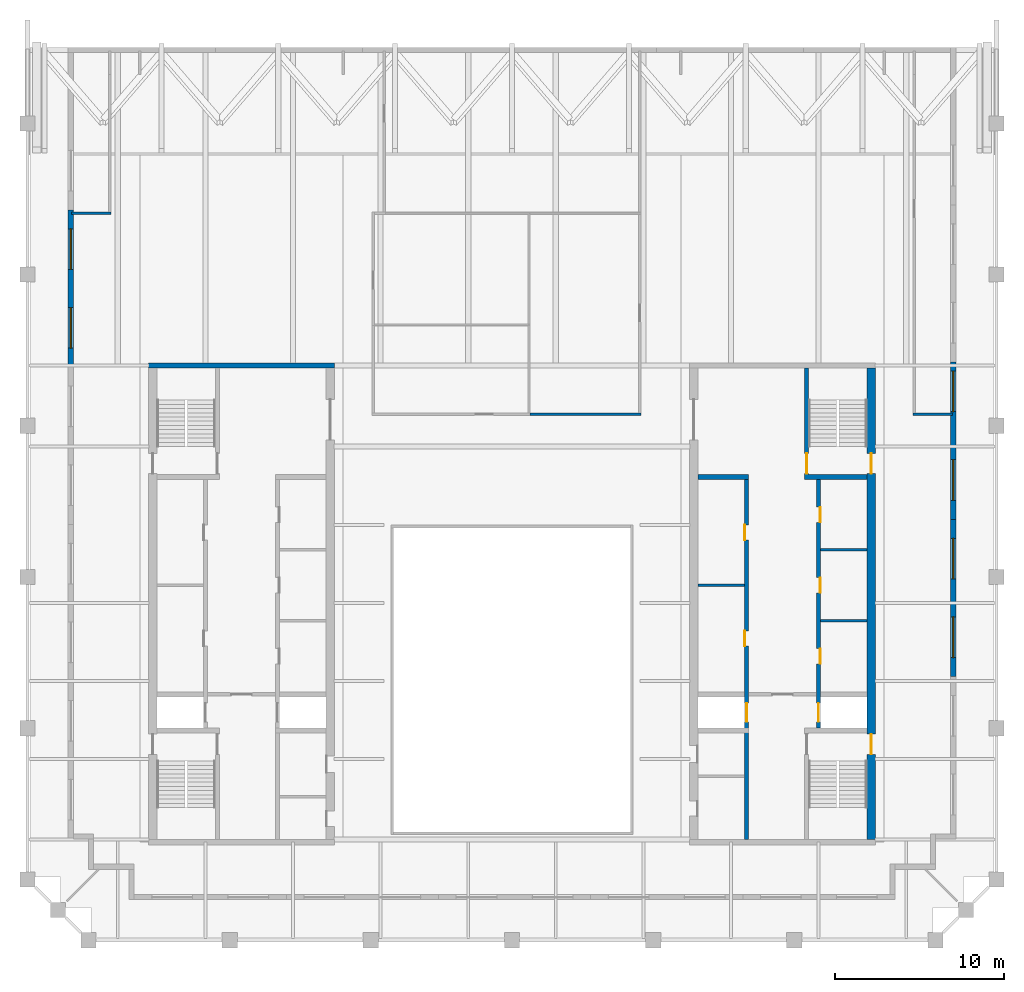
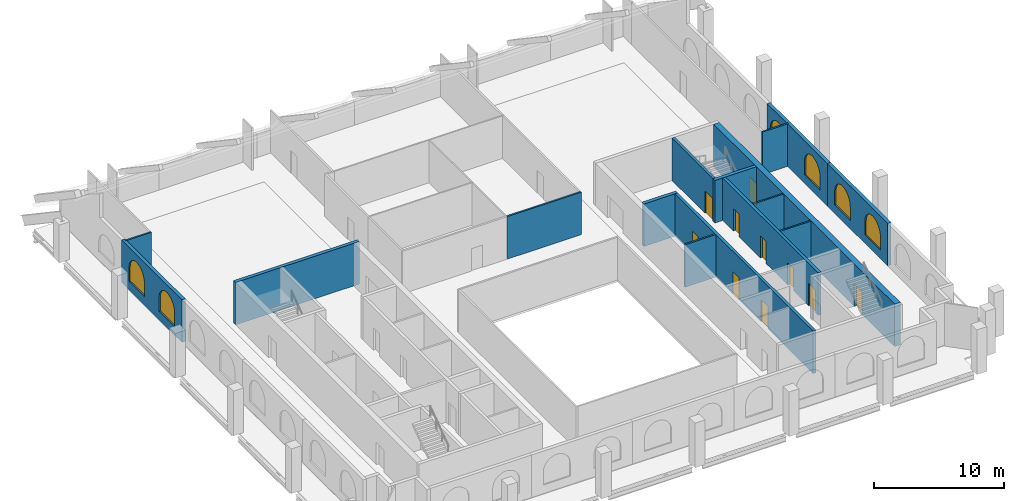
# One storey, part 5 of 8: 16 walls, 10 doors, 6 windows, 16 openings.
"""IFC4 building model written with IfcOpenShell, lengths in metres."""

import ifcopenshell
import ifcopenshell.guid

model = None  # the IFC model being written
_history = None  # IfcOwnerHistory: only IFC2X3 demands one
_inside = {}  # id of a spatial element -> (the spatial element, [elements in it])
_under = {}  # id of a project, library or spatial element -> (it, [spatial elements below it])
_declared = {}  # id of a project -> (the project, [libraries it declares])
_typed = {}  # id of a type object -> (the type object, [elements of that type])
_made_of = {}  # id of a material, layer set ... -> (it, [elements and type objects made of it])


def new_model(schema):
    """Start an empty IFC model of exactly this schema.

    Asked for "IFC4X3", IfcOpenShell would pick the latest addendum, in which some entities
    have other attributes; the version numbers below select the first issue.
    IFC2X3 requires an IfcOwnerHistory on every rooted entity: one is made here for all.
    """
    global model, _history
    if schema == "IFC4X3":
        model = ifcopenshell.file(schema_version=(4, 3, 0, 0))
    else:
        model = ifcopenshell.file(schema=schema)
    _inside.clear()
    _under.clear()
    _declared.clear()
    _typed.clear()
    _made_of.clear()
    _history = None
    if model.schema == "IFC2X3":
        org = make("IfcOrganization", Name="unknown")
        user = make(
            "IfcPersonAndOrganization",
            ThePerson=make("IfcPerson", FamilyName="unknown"),
            TheOrganization=org,
        )
        app = make(
            "IfcApplication",
            ApplicationDeveloper=org,
            Version="unknown",
            ApplicationFullName="unknown",
            ApplicationIdentifier="unknown",
        )
        _history = make(
            "IfcOwnerHistory",
            OwningUser=user,
            OwningApplication=app,
            ChangeAction="ADDED",
            CreationDate=0,
        )
    return model


def make(cls, **values):
    """One entity of the class cls with the attributes given. An attribute that is None is left unset."""
    return model.create_entity(
        cls, **{name: value for name, value in values.items() if value is not None}
    )


def rooted(cls, **values):
    """An entity with a GlobalId (a new one), such as an element, a storey or a relation."""
    return make(cls, GlobalId=ifcopenshell.guid.new(), OwnerHistory=_history, **values)


def si_unit(unit_type, name, prefix=None):
    """IfcSIUnit, for example si_unit("LENGTHUNIT", "METRE", prefix="MILLI")."""
    return make("IfcSIUnit", UnitType=unit_type, Prefix=prefix, Name=name)


def assignment(units):
    """IfcUnitAssignment: the units of a project."""
    return None if units is None else make("IfcUnitAssignment", Units=units)


def point(xyz):
    """IfcCartesianPoint."""
    return None if xyz is None else make("IfcCartesianPoint", Coordinates=xyz)


def direction(xyz):
    """IfcDirection."""
    return None if xyz is None else make("IfcDirection", DirectionRatios=xyz)


def frame(location, z_axis=None, x_axis=None):
    """IfcAxis2Placement3D, a coordinate frame: its origin and axes. An axis left out is left unset."""
    return make(
        "IfcAxis2Placement3D",
        Location=point(location),
        Axis=direction(z_axis),
        RefDirection=direction(x_axis),
    )


def frame_2d(location, x_axis=None):
    """IfcAxis2Placement2D, a coordinate frame in the plane: its origin and x axis."""
    return make(
        "IfcAxis2Placement2D", Location=point(location), RefDirection=direction(x_axis)
    )


def origin():
    """The frame at (0, 0, 0) with its axes left unset."""
    return frame((0.0, 0.0, 0.0))


def place(relative_to, where):
    """IfcLocalPlacement: puts the frame where relative to a parent placement (None: the world)."""
    return make(
        "IfcLocalPlacement", PlacementRelTo=relative_to, RelativePlacement=where
    )


def context(
    kind, dimensions, precision=None, world=None, true_north=None, identifier=None
):
    """IfcGeometricRepresentationContext, for example the 3D "Model" context."""
    return make(
        "IfcGeometricRepresentationContext",
        ContextIdentifier=identifier,
        ContextType=kind,
        CoordinateSpaceDimension=dimensions,
        Precision=precision,
        WorldCoordinateSystem=world,
        TrueNorth=true_north,
    )


def subcontext(parent, identifier, kind, view, scale=None):
    """IfcGeometricRepresentationSubContext, for example "Body" below "Model"."""
    return make(
        "IfcGeometricRepresentationSubContext",
        ContextIdentifier=identifier,
        ContextType=kind,
        ParentContext=parent,
        TargetScale=scale,
        TargetView=view,
    )


def project(units=None, contexts=None):
    """IfcProject with its units and contexts."""
    return rooted(
        "IfcProject",
        Name="project",
        RepresentationContexts=contexts,
        UnitsInContext=assignment(units),
    )


def spatial(cls, under=None, at=None, **own):
    """A site, building, storey or space (cls), placed at a placement, below another one or the project."""
    s = rooted(cls, ObjectPlacement=at, **own)
    if under is not None:
        _under.setdefault(under.id(), (under, []))[1].append(s)
    return s


def polyline(points):
    """IfcPolyline through the points."""
    return make("IfcPolyline", Points=[point(p) for p in points])


def profile(cls, at=None, kind="AREA", **sizes):
    """A parametric profile (cls). Its sizes go by their IFC names, for example OverallWidth=200.0."""
    return make(cls, ProfileType=kind, Position=at, **sizes)


def rectangle(**sizes):
    """IfcRectangleProfileDef."""
    return profile("IfcRectangleProfileDef", **sizes)


def outline(outer, holes=None, kind="AREA"):
    """IfcArbitraryClosedProfileDef: a profile drawn as a closed curve; with holes, ...WithVoids."""
    if holes is None:
        return make("IfcArbitraryClosedProfileDef", ProfileType=kind, OuterCurve=outer)
    return make(
        "IfcArbitraryProfileDefWithVoids",
        ProfileType=kind,
        OuterCurve=outer,
        InnerCurves=holes,
    )


def extrude(swept, where, along, depth):
    """IfcExtrudedAreaSolid: the profile swept, set in the frame where, extruded along a direction by depth."""
    return make(
        "IfcExtrudedAreaSolid",
        SweptArea=swept,
        Position=where,
        ExtrudedDirection=direction(along),
        Depth=depth,
    )


def shape(context_of_items, identifier, shape_type, items):
    """IfcShapeRepresentation: the items that make up one representation, for example the "Body"."""
    return make(
        "IfcShapeRepresentation",
        ContextOfItems=context_of_items,
        RepresentationIdentifier=identifier,
        RepresentationType=shape_type,
        Items=items,
    )


def material(Name=None, Category=None):
    """IfcMaterial."""
    return make("IfcMaterial", Name=Name, Category=Category)


def layer(
    of_material, thickness, ventilated=None, Name=None, Category=None, Priority=None
):
    """IfcMaterialLayer: one layer of a wall or slab, of a material (None: an air gap)."""
    return make(
        "IfcMaterialLayer",
        Material=of_material,
        LayerThickness=thickness,
        IsVentilated=ventilated,
        Name=Name,
        Category=Category,
        Priority=Priority,
    )


def layer_set(layers, Name=None):
    """IfcMaterialLayerSet."""
    return make("IfcMaterialLayerSet", MaterialLayers=layers, LayerSetName=Name)


def made_of(thing, what):
    """Note that an element or type object is made of a material, layer set ...; save() writes the relation."""
    if what is not None:
        _made_of.setdefault(what.id(), (what, []))[1].append(thing)
    return thing


def type_object(cls, material=None, **own):
    """A type object (cls), such as IfcWallType, which elements share."""
    return made_of(rooted(cls, **own), material)


def element(
    cls,
    number,
    at=None,
    inside=None,
    cuts=None,
    type_object=None,
    material=None,
    context=None,
    identifier="Body",
    shape_type=None,
    held_by="IfcProductDefinitionShape",
    body=None,
    shapes=None,
    **own,
):
    """One element of the class cls, such as IfcWall. Its Tag is "e" and its number.

    at: its placement. inside: the storey or other place that contains it. cuts: it is an
    opening in that element (IfcRelVoidsElement). A single representation is given by context,
    identifier, shape_type and body (its items); several are given by shapes. held_by: the class
    of the entity that holds the representations. save() writes the other relations.
    """
    e = rooted(cls, Tag="e%d" % number, ObjectPlacement=at, **own)
    if body is not None:
        shapes = [shape(context, identifier, shape_type, body)]
    if shapes is not None:
        e.Representation = make(held_by, Representations=shapes)
    if inside is not None:
        _inside.setdefault(inside.id(), (inside, []))[1].append(e)
    if cuts is not None:
        rooted(
            "IfcRelVoidsElement", RelatingBuildingElement=cuts, RelatedOpeningElement=e
        )
    if type_object is not None:
        _typed.setdefault(type_object.id(), (type_object, []))[1].append(e)
    return made_of(e, material)


def fill(opening, filler):
    """IfcRelFillsElement: the door or window that sits in an opening."""
    return rooted(
        "IfcRelFillsElement",
        RelatingOpeningElement=opening,
        RelatedBuildingElement=filler,
    )


def aggregate(whole, parts):
    """IfcRelAggregates: a whole, such as a stair, and the parts it consists of."""
    return rooted("IfcRelAggregates", RelatingObject=whole, RelatedObjects=parts)


def save(model, path):
    """Write the relations noted so far, then the file.

    IfcRelAggregates (storeys below a building ...), IfcRelContainedInSpatialStructure (elements
    in a storey), IfcRelDefinesByType, IfcRelAssociatesMaterial and IfcRelDeclares: one each for
    every whole, place, type object, material and project.
    """
    for whole, parts in _under.values():
        aggregate(whole, parts)
    for where, things in _inside.values():
        rooted(
            "IfcRelContainedInSpatialStructure",
            RelatedElements=things,
            RelatingStructure=where,
        )
    for kind, things in _typed.values():
        rooted("IfcRelDefinesByType", RelatedObjects=things, RelatingType=kind)
    for what, things in _made_of.values():
        rooted("IfcRelAssociatesMaterial", RelatedObjects=things, RelatingMaterial=what)
    for by, libraries in _declared.values():
        rooted("IfcRelDeclares", RelatingContext=by, RelatedDefinitions=libraries)
    model.write(path)


model = new_model("IFC4")

# Units and contexts
model_context = context("Model", 3, precision=1e-05, world=origin(), true_north=direction((0.0, 1.0)))
body_context = subcontext(model_context, "Body", "Model", "MODEL_VIEW")
ifc_project = project(units=[si_unit("LENGTHUNIT", "METRE"), si_unit("AREAUNIT", "SQUARE_METRE"), si_unit("VOLUMEUNIT", "CUBIC_METRE"), si_unit("PLANEANGLEUNIT", "RADIAN"), si_unit("MASSUNIT", "GRAM", prefix="KILO")], contexts=[model_context])

# Site, building, storey
site_placement = place(None, origin())
site = spatial("IfcSite", under=ifc_project, at=site_placement, CompositionType="ELEMENT")
building_placement = place(site_placement, origin())
building = spatial("IfcBuilding", under=site, at=building_placement, Name="Ogive Exchange Tower", CompositionType="ELEMENT")
storey_placement = place(building_placement, frame((0.0, 0.0, 377.39990234375)))
storey = spatial("IfcBuildingStorey", under=building, at=storey_placement, Name="C03", CompositionType="ELEMENT", Elevation=377.39990234375)

# Walls
ifc_material_1 = material(Name="Gypsum board partition")
ifc_layer_1 = layer(ifc_material_1, 0.14990234375)
ifc_layer_set_1 = layer_set([ifc_layer_1], Name="Core room partition 150 gypsum")
wall_type_1 = type_object("IfcWallType", Name="Core room partition 150 gypsum", PredefinedType="PARTITIONING", material=ifc_layer_set_1)
for number, where, z_axis, x_axis, name in (
    (1, (18.25, 10.5, 0.0), (0.0, 0.0, 1.0), (1.0, 0.0, 0.0), "E row A bay partition 1-1"),
    (2, (18.25, 14.699951171875, 0.0), (0.0, 0.0, 1.0), (1.0, 0.0, 0.0), "E row A bay partition 1-2"),
    (3, (11.0, 12.60009765625, 0.0), (0.0, 0.0, 1.0), (1.0, 0.0, 0.0), "E row B bay partition 1-1"),
):
    element("IfcWall", number, at=place(storey_placement, frame(where, z_axis=z_axis, x_axis=x_axis)), inside=storey, type_object=wall_type_1, Name=name, PredefinedType="PARTITIONING", context=body_context, shape_type="SweptSolid", body=[
        extrude(rectangle(XDim=2.75, YDim=0.14990234375, at=frame_2d((1.375, 0.0))), origin(), (0.0, 0.0, 1.0), 4.0),
    ])
ifc_layer_2 = layer(ifc_material_1, 0.300048828125)
ifc_layer_set_2 = layer_set([ifc_layer_2], Name="Core room partition 300 gypsum")
wall_type_2 = type_object("IfcWallType", Name="Core room partition 300 gypsum", PredefinedType="PARTITIONING", material=ifc_layer_set_2)
wall_1_placement = place(storey_placement, frame((11.0, 19.0, 0.0), z_axis=(0.0, 0.0, 1.0), x_axis=(1.0, 0.0, 0.0)))
element("IfcWall", 4, at=wall_1_placement, inside=storey, type_object=wall_type_2, Name="E row B room end wall 7", PredefinedType="PARTITIONING", context=body_context, shape_type="SweptSolid", body=[
    extrude(rectangle(XDim=3.0, YDim=0.300048828125, at=frame_2d((1.5, 0.0))), origin(), (0.0, 0.0, 1.0), 4.0),
])
ifc_material_2 = material(Name="Fire partition EI 60 150")
ifc_layer_3 = layer(ifc_material_2, 0.14990234375)
ifc_layer_set_3 = layer_set([ifc_layer_3], Name="Fire partition EI 60 150")
wall_type_3 = type_object("IfcWallType", Name="Fire partition EI 60 150", PredefinedType="PARTITIONING", material=ifc_layer_set_3)
wall_2_placement = place(storey_placement, frame((-26.050048828125, 34.60009765625, 0.0), z_axis=(0.0, 0.0, 1.0), x_axis=(1.0, 0.0, 0.0)))
element("IfcWall", 5, at=wall_2_placement, inside=storey, type_object=wall_type_3, Name="C03-PWL-001", PredefinedType="PARTITIONING", context=body_context, shape_type="SweptSolid", body=[
    extrude(rectangle(XDim=2.324951171875, YDim=0.14990234375, at=frame_2d((1.16259765625, 0.0))), origin(), (0.0, 0.0, 1.0), 4.0),
])
wall_3_placement = place(storey_placement, frame((1.050048828125, 22.719970703125, 0.0), z_axis=(0.0, 0.0, 1.0), x_axis=(1.0, 0.0, 0.0)))
element("IfcWall", 6, at=wall_3_placement, inside=storey, type_object=wall_type_3, Name="C03-PWL-012", PredefinedType="PARTITIONING", context=body_context, shape_type="SweptSolid", body=[
    extrude(rectangle(XDim=6.574951171875, YDim=0.14990234375, at=frame_2d((3.28759765625, 0.0))), origin(), (0.0, 0.0, 1.0), 4.0),
])
wall_4_placement = place(storey_placement, frame((23.72509765625, 22.719970703125, 0.0), z_axis=(0.0, 0.0, 1.0), x_axis=(1.0, 0.0, 0.0)))
element("IfcWall", 7, at=wall_4_placement, inside=storey, type_object=wall_type_3, Name="C03-PWL-022", PredefinedType="PARTITIONING", context=body_context, shape_type="SweptSolid", body=[
    extrude(rectangle(XDim=2.324951171875, YDim=0.14990234375, at=frame_2d((1.16259765625, 0.0))), origin(), (0.0, 0.0, 1.0), 4.0),
])

# Wall, opening, door
ifc_material_3 = material(Name="Concrete C70/85", Category="concrete")
ifc_layer_4 = layer(ifc_material_3, 0.25)
ifc_layer_set_4 = layer_set([ifc_layer_4], Name="RC core wall 250 C70/85")
wall_type_4 = type_object("IfcWallType", Name="RC core wall 250 C70/85", PredefinedType="SHEAR", material=ifc_layer_set_4)
wall_5_placement = place(storey_placement, frame((17.425048828125, 19.14990234375, 0.0), z_axis=(0.0, 0.0, 1.0), x_axis=(0.0, 1.0, 0.0)))
wall_5 = element("IfcWall", 8, at=wall_5_placement, inside=storey, type_object=wall_type_4, Name="E stair N front wall", PredefinedType="SHEAR", context=body_context, shape_type="SweptSolid", body=[
    extrude(rectangle(XDim=6.300048828125, YDim=0.25, at=frame_2d((3.14990234375, 0.0))), origin(), (0.0, 0.0, 1.0), 4.0),
])
opening_1_placement = place(wall_5_placement, frame((0.050048828125, 0.0, 0.0)))
opening_1 = element("IfcOpeningElement", 9, at=opening_1_placement, cuts=wall_5, Name="Opening C03-C27", PredefinedType="OPENING", context=body_context, shape_type="SweptSolid", body=[
    extrude(rectangle(XDim=1.199951171875, YDim=2.10009765625, at=frame_2d((0.60009765625, 1.050048828125))), frame((0.0, 0.135009765625, 0.0), z_axis=(0.0, -1.0, 0.0), x_axis=(1.0, 0.0, 0.0)), (0.0, 0.0, 1.0), 0.27001953125),
])
ifc_material_4 = material(Name="Steel fire door", Category="steel")
door_type_1 = type_object("IfcDoorType", Name="Stair door FD90 1200 x 2100", OperationType="NOTDEFINED", PredefinedType="DOOR", material=ifc_material_4)
door_1_placement = place(opening_1_placement, frame((1.199951171875, 0.0, 0.0), z_axis=(0.0, 0.0, 1.0), x_axis=(-1.0, 0.0, 0.0)))
door_1 = element("IfcDoor", 10, at=door_1_placement, inside=storey, type_object=door_type_1, Name="Stair door", ObjectType="CD5", OperationType="SINGLE_SWING_LEFT", OverallHeight=2.10009765625, OverallWidth=1.199951171875, PredefinedType="DOOR", context=body_context, shape_type="SweptSolid", body=[
    extrude(rectangle(XDim=1.199951171875, YDim=2.10009765625, at=frame_2d((0.60009765625, 1.050048828125))), frame((0.0, 0.02490234375, 0.0), z_axis=(0.0, -1.0, 0.0), x_axis=(1.0, 0.0, 0.0)), (0.0, 0.0, 1.0), 0.050048828125),
])
fill(opening_1, door_1)

# Wall, openings, doors
wall_6_placement = place(storey_placement, frame((18.125, 4.14990234375, 0.0), z_axis=(0.0, 0.0, 1.0), x_axis=(0.0, 1.0, 0.0)))
wall_6 = element("IfcWall", 11, at=wall_6_placement, inside=storey, type_object=wall_type_4, Name="E row A front wall", PredefinedType="SHEAR", context=body_context, shape_type="SweptSolid", body=[
    extrude(rectangle(XDim=14.7001953125, YDim=0.25, at=frame_2d((7.35009765625, 0.0))), origin(), (0.0, 0.0, 1.0), 4.0),
])
opening_2_placement = place(wall_6_placement, frame((3.79638671875, 0.0, 0.0)))
opening_2 = element("IfcOpeningElement", 12, at=opening_2_placement, cuts=wall_6, Name="Opening C03-C16", PredefinedType="OPENING", context=body_context, shape_type="SweptSolid", body=[
    extrude(rectangle(XDim=0.89990234375, YDim=2.10009765625, at=frame_2d((0.449951171875, 1.050048828125))), frame((0.0, 0.135009765625, 0.0), z_axis=(0.0, -1.0, 0.0), x_axis=(1.0, 0.0, 0.0)), (0.0, 0.0, 1.0), 0.27001953125),
])
opening_3_placement = place(wall_6_placement, frame((8.0, 0.0, 0.0)))
opening_3 = element("IfcOpeningElement", 13, at=opening_3_placement, cuts=wall_6, Name="Opening C03-C17", PredefinedType="OPENING", context=body_context, shape_type="SweptSolid", body=[
    extrude(rectangle(XDim=0.89990234375, YDim=2.10009765625, at=frame_2d((0.449951171875, 1.050048828125))), frame((0.0, 0.135009765625, 0.0), z_axis=(0.0, -1.0, 0.0), x_axis=(1.0, 0.0, 0.0)), (0.0, 0.0, 1.0), 0.27001953125),
])
opening_4_placement = place(wall_6_placement, frame((12.175048828125, 0.0, 0.0)))
opening_4 = element("IfcOpeningElement", 14, at=opening_4_placement, cuts=wall_6, Name="Opening C03-C18", PredefinedType="OPENING", context=body_context, shape_type="SweptSolid", body=[
    extrude(rectangle(XDim=0.89990234375, YDim=2.10009765625, at=frame_2d((0.449951171875, 1.050048828125))), frame((0.0, 0.135009765625, 0.0), z_axis=(0.0, -1.0, 0.0), x_axis=(1.0, 0.0, 0.0)), (0.0, 0.0, 1.0), 0.27001953125),
])
opening_5_placement = place(wall_6_placement, frame((0.371337890625, 0.0, 0.0)))
opening_5 = element("IfcOpeningElement", 15, at=opening_5_placement, cuts=wall_6, Name="Opening C03-C19", PredefinedType="OPENING", context=body_context, shape_type="SweptSolid", body=[
    extrude(rectangle(XDim=1.10009765625, YDim=2.10009765625, at=frame_2d((0.550048828125, 1.050048828125))), frame((0.0, 0.135009765625, 0.0), z_axis=(0.0, -1.0, 0.0), x_axis=(1.0, 0.0, 0.0)), (0.0, 0.0, 1.0), 0.27001953125),
])
ifc_material_5 = material(Name="Stainless steel", Category="steel")
door_type_2 = type_object("IfcDoorType", Name="Lift landing door FD90 1100 x 2100", OperationType="SLIDING_TO_LEFT", PredefinedType="DOOR", material=ifc_material_5)
door_2_placement = place(opening_5_placement, origin())
door_2 = element("IfcDoor", 16, at=door_2_placement, inside=storey, type_object=door_type_2, Name="Lift landing door FF2", ObjectType="LD", OperationType="SLIDING_TO_LEFT", OverallHeight=2.10009765625, OverallWidth=1.10009765625, PredefinedType="DOOR", context=body_context, shape_type="SweptSolid", body=[
    extrude(rectangle(XDim=1.10009765625, YDim=2.10009765625, at=frame_2d((0.550048828125, 1.050048828125))), frame((0.0, 0.02490234375, 0.0), z_axis=(0.0, -1.0, 0.0), x_axis=(1.0, 0.0, 0.0)), (0.0, 0.0, 1.0), 0.050048828125),
])
fill(opening_5, door_2)
door_type_3 = type_object("IfcDoorType", Name="Riser door FD60 900 x 2100", OperationType="NOTDEFINED", PredefinedType="DOOR", material=ifc_material_4)
door_3_placement = place(opening_2_placement, frame((0.89990234375, -0.2001953125, 0.0), z_axis=(0.0, 0.0, 1.0), x_axis=(-1.0, 0.0, 0.0)))
door_3 = element("IfcDoor", 17, at=door_3_placement, inside=storey, type_object=door_type_3, Name="Riser door", ObjectType="CD2", OperationType="SINGLE_SWING_LEFT", OverallHeight=2.10009765625, OverallWidth=0.89990234375, PredefinedType="DOOR", context=body_context, shape_type="SweptSolid", body=[
    extrude(rectangle(XDim=0.89990234375, YDim=2.10009765625, at=frame_2d((0.449951171875, 1.050048828125))), frame((0.0, -0.0751953125, 0.0), z_axis=(0.0, -1.0, 0.0), x_axis=(1.0, 0.0, 0.0)), (0.0, 0.0, 1.0), 0.050048828125),
])
fill(opening_2, door_3)
door_4_placement = place(opening_3_placement, frame((0.89990234375, -0.2001953125, 0.0), z_axis=(0.0, 0.0, 1.0), x_axis=(-1.0, 0.0, 0.0)))
door_4 = element("IfcDoor", 18, at=door_4_placement, inside=storey, type_object=door_type_3, Name="Riser door", ObjectType="CD2", OperationType="SINGLE_SWING_LEFT", OverallHeight=2.10009765625, OverallWidth=0.89990234375, PredefinedType="DOOR", context=body_context, shape_type="SweptSolid", body=[
    extrude(rectangle(XDim=0.89990234375, YDim=2.10009765625, at=frame_2d((0.449951171875, 1.050048828125))), frame((0.0, -0.0751953125, 0.0), z_axis=(0.0, -1.0, 0.0), x_axis=(1.0, 0.0, 0.0)), (0.0, 0.0, 1.0), 0.050048828125),
])
fill(opening_3, door_4)
door_5_placement = place(opening_4_placement, frame((0.89990234375, -0.2001953125, 0.0), z_axis=(0.0, 0.0, 1.0), x_axis=(-1.0, 0.0, 0.0)))
door_5 = element("IfcDoor", 19, at=door_5_placement, inside=storey, type_object=door_type_3, Name="Riser door", ObjectType="CD2", OperationType="SINGLE_SWING_RIGHT", OverallHeight=2.10009765625, OverallWidth=0.89990234375, PredefinedType="DOOR", context=body_context, shape_type="SweptSolid", body=[
    extrude(rectangle(XDim=0.89990234375, YDim=2.10009765625, at=frame_2d((0.449951171875, 1.050048828125))), frame((0.0, -0.0751953125, 0.0), z_axis=(0.0, -1.0, 0.0), x_axis=(1.0, 0.0, 0.0)), (0.0, 0.0, 1.0), 0.050048828125),
])
fill(opening_4, door_5)

wall_7_placement = place(storey_placement, frame((13.875, -2.449951171875, 0.0), z_axis=(0.0, 0.0, 1.0), x_axis=(0.0, 1.0, 0.0)))
wall_7 = element("IfcWall", 20, at=wall_7_placement, inside=storey, type_object=wall_type_4, Name="E row B front wall", PredefinedType="SHEAR", context=body_context, shape_type="SweptSolid", body=[
    extrude(rectangle(XDim=21.300048828125, YDim=0.25, at=frame_2d((10.64990234375, 0.0))), origin(), (0.0, 0.0, 1.0), 4.0),
])
opening_6_placement = place(wall_7_placement, frame((11.4462890625, 0.0, 0.0)))
opening_6 = element("IfcOpeningElement", 21, at=opening_6_placement, cuts=wall_7, Name="Opening C03-C20", PredefinedType="OPENING", context=body_context, shape_type="SweptSolid", body=[
    extrude(rectangle(XDim=0.89990234375, YDim=2.10009765625, at=frame_2d((0.449951171875, 1.050048828125))), frame((0.0, 0.135009765625, 0.0), z_axis=(0.0, -1.0, 0.0), x_axis=(1.0, 0.0, 0.0)), (0.0, 0.0, 1.0), 0.27001953125),
])
opening_7_placement = place(wall_7_placement, frame((17.72509765625, 0.0, 0.0)))
opening_7 = element("IfcOpeningElement", 22, at=opening_7_placement, cuts=wall_7, Name="Opening C03-C21", PredefinedType="OPENING", context=body_context, shape_type="SweptSolid", body=[
    extrude(rectangle(XDim=0.89990234375, YDim=2.10009765625, at=frame_2d((0.449951171875, 1.050048828125))), frame((0.0, 0.135009765625, 0.0), z_axis=(0.0, -1.0, 0.0), x_axis=(1.0, 0.0, 0.0)), (0.0, 0.0, 1.0), 0.27001953125),
])
opening_8_placement = place(wall_7_placement, frame((6.971435546875, 0.0, 0.0)))
opening_8 = element("IfcOpeningElement", 23, at=opening_8_placement, cuts=wall_7, Name="Opening C03-C22", PredefinedType="OPENING", context=body_context, shape_type="SweptSolid", body=[
    extrude(rectangle(XDim=1.10009765625, YDim=2.10009765625, at=frame_2d((0.550048828125, 1.050048828125))), frame((0.0, 0.135009765625, 0.0), z_axis=(0.0, -1.0, 0.0), x_axis=(1.0, 0.0, 0.0)), (0.0, 0.0, 1.0), 0.27001953125),
])
ifc_material_6 = material(Name="Timber fire door", Category="wood")
door_type_4 = type_object("IfcDoorType", Name="Core room door FD30S 900 x 2100", OperationType="NOTDEFINED", PredefinedType="DOOR", material=ifc_material_6)
door_6_placement = place(opening_7_placement, origin())
door_6 = element("IfcDoor", 24, at=door_6_placement, inside=storey, type_object=door_type_4, Name="Core room door", ObjectType="CD6", OperationType="SINGLE_SWING_RIGHT", OverallHeight=2.10009765625, OverallWidth=0.89990234375, PredefinedType="DOOR", context=body_context, shape_type="SweptSolid", body=[
    extrude(rectangle(XDim=0.89990234375, YDim=2.10009765625, at=frame_2d((0.449951171875, 1.050048828125))), frame((0.0, 0.125, 0.0), z_axis=(0.0, -1.0, 0.0), x_axis=(1.0, 0.0, 0.0)), (0.0, 0.0, 1.0), 0.050048828125),
])
fill(opening_7, door_6)
door_7_placement = place(opening_8_placement, origin())
door_7 = element("IfcDoor", 25, at=door_7_placement, inside=storey, type_object=door_type_2, Name="Lift landing door SV2", ObjectType="LD", OperationType="SLIDING_TO_LEFT", OverallHeight=2.10009765625, OverallWidth=1.10009765625, PredefinedType="DOOR", context=body_context, shape_type="SweptSolid", body=[
    extrude(rectangle(XDim=1.10009765625, YDim=2.10009765625, at=frame_2d((0.550048828125, 1.050048828125))), frame((0.0, 0.02490234375, 0.0), z_axis=(0.0, -1.0, 0.0), x_axis=(1.0, 0.0, 0.0)), (0.0, 0.0, 1.0), 0.050048828125),
])
fill(opening_8, door_7)
door_8_placement = place(opening_6_placement, origin())
door_8 = element("IfcDoor", 26, at=door_8_placement, inside=storey, type_object=door_type_3, Name="Riser door", ObjectType="CD2", OperationType="SINGLE_SWING_RIGHT", OverallHeight=2.10009765625, OverallWidth=0.89990234375, PredefinedType="DOOR", context=body_context, shape_type="SweptSolid", body=[
    extrude(rectangle(XDim=0.89990234375, YDim=2.10009765625, at=frame_2d((0.449951171875, 1.050048828125))), frame((0.0, 0.125, 0.0), z_axis=(0.0, -1.0, 0.0), x_axis=(1.0, 0.0, 0.0)), (0.0, 0.0, 1.0), 0.050048828125),
])
fill(opening_6, door_8)

# Walls
ifc_layer_5 = layer(ifc_material_3, 0.300048828125)
ifc_layer_set_5 = layer_set([ifc_layer_5], Name="RC core wall 300 C70/85")
wall_type_5 = type_object("IfcWallType", Name="RC core wall 300 C70/85", PredefinedType="SHEAR", material=ifc_layer_set_5)
wall_8_placement = place(storey_placement, frame((-21.5, 25.60009765625, 0.0), z_axis=(0.0, 0.0, 1.0), x_axis=(1.0, 0.0, 0.0)))
element("IfcWall", 27, at=wall_8_placement, inside=storey, type_object=wall_type_5, Name="W north end wall", PredefinedType="SHEAR", context=body_context, shape_type="SweptSolid", body=[
    extrude(rectangle(XDim=11.0, YDim=0.300048828125, at=frame_2d((5.5, 0.0))), origin(), (0.0, 0.0, 1.0), 4.0),
])
wall_9_placement = place(storey_placement, frame((17.300048828125, 19.0, 0.0), z_axis=(0.0, 0.0, 1.0), x_axis=(1.0, 0.0, 0.0)))
element("IfcWall", 28, at=wall_9_placement, inside=storey, type_object=wall_type_5, Name="E stair N south wall", PredefinedType="SHEAR", context=body_context, shape_type="SweptSolid", body=[
    extrude(rectangle(XDim=3.699951171875, YDim=0.300048828125, at=frame_2d((1.85009765625, 0.0))), origin(), (0.0, 0.0, 1.0), 4.0),
])

# Wall, openings, doors
ifc_layer_6 = layer(ifc_material_3, 0.5)
ifc_layer_set_6 = layer_set([ifc_layer_6], Name="RC core wall 500 C70/85")
wall_type_6 = type_object("IfcWallType", Name="RC core wall 500 C70/85", PredefinedType="SHEAR", material=ifc_layer_set_6)
wall_10_placement = place(storey_placement, frame((21.25, -2.449951171875, 0.0), z_axis=(0.0, 0.0, 1.0), x_axis=(0.0, 1.0, 0.0)))
wall_10 = element("IfcWall", 29, at=wall_10_placement, inside=storey, type_object=wall_type_6, Name="E outer wall", PredefinedType="SHEAR", context=body_context, shape_type="SweptSolid", body=[
    extrude(rectangle(XDim=27.89990234375, YDim=0.5, at=frame_2d((13.949951171875, 0.0))), origin(), (0.0, 0.0, 1.0), 4.0),
])
opening_9_placement = place(wall_10_placement, frame((5.050048828125, 0.0, 0.0)))
opening_9 = element("IfcOpeningElement", 30, at=opening_9_placement, cuts=wall_10, Name="Opening C03-C26", PredefinedType="OPENING", context=body_context, shape_type="SweptSolid", body=[
    extrude(rectangle(XDim=1.199951171875, YDim=2.10009765625, at=frame_2d((0.60009765625, 1.050048828125))), frame((0.0, 0.260009765625, 0.0), z_axis=(0.0, -1.0, 0.0), x_axis=(1.0, 0.0, 0.0)), (0.0, 0.0, 1.0), 0.52001953125),
])
opening_10_placement = place(wall_10_placement, frame((21.64990234375, 0.0, 0.0)))
opening_10 = element("IfcOpeningElement", 31, at=opening_10_placement, cuts=wall_10, Name="Opening C03-C28", PredefinedType="OPENING", context=body_context, shape_type="SweptSolid", body=[
    extrude(rectangle(XDim=1.199951171875, YDim=2.10009765625, at=frame_2d((0.60009765625, 1.050048828125))), frame((0.0, 0.260009765625, 0.0), z_axis=(0.0, -1.0, 0.0), x_axis=(1.0, 0.0, 0.0)), (0.0, 0.0, 1.0), 0.52001953125),
])
door_9_placement = place(opening_9_placement, frame((1.199951171875, 0.0, 0.0), z_axis=(0.0, 0.0, 1.0), x_axis=(-1.0, 0.0, 0.0)))
door_9 = element("IfcDoor", 32, at=door_9_placement, inside=storey, type_object=door_type_1, Name="Stair door", ObjectType="CD5", OperationType="SINGLE_SWING_RIGHT", OverallHeight=2.10009765625, OverallWidth=1.199951171875, PredefinedType="DOOR", context=body_context, shape_type="SweptSolid", body=[
    extrude(rectangle(XDim=1.199951171875, YDim=2.10009765625, at=frame_2d((0.60009765625, 1.050048828125))), frame((0.0, 0.02490234375, 0.0), z_axis=(0.0, -1.0, 0.0), x_axis=(1.0, 0.0, 0.0)), (0.0, 0.0, 1.0), 0.050048828125),
])
fill(opening_9, door_9)
door_10_placement = place(opening_10_placement, frame((1.199951171875, 0.0, 0.0), z_axis=(0.0, 0.0, 1.0), x_axis=(-1.0, 0.0, 0.0)))
door_10 = element("IfcDoor", 33, at=door_10_placement, inside=storey, type_object=door_type_1, Name="Stair door", ObjectType="CD5", OperationType="SINGLE_SWING_LEFT", OverallHeight=2.10009765625, OverallWidth=1.199951171875, PredefinedType="DOOR", context=body_context, shape_type="SweptSolid", body=[
    extrude(rectangle(XDim=1.199951171875, YDim=2.10009765625, at=frame_2d((0.60009765625, 1.050048828125))), frame((0.0, 0.02490234375, 0.0), z_axis=(0.0, -1.0, 0.0), x_axis=(1.0, 0.0, 0.0)), (0.0, 0.0, 1.0), 0.050048828125),
])
fill(opening_10, door_10)

# Wall, openings, windows
ifc_material_7 = material(Name="Precast concrete C40/50", Category="concrete")
ifc_layer_7 = layer(ifc_material_7, 0.300048828125)
ifc_layer_set_7 = layer_set([ifc_layer_7], Name="Zinc-clad crown wall 300")
wall_type_7 = type_object("IfcWallType", Name="Zinc-clad crown wall 300", PredefinedType="STANDARD", material=ifc_layer_set_7)
wall_11_placement = place(storey_placement, frame((26.10009765625, 7.2001953125, 0.0), z_axis=(0.0, 0.0, 1.0), x_axis=(0.0, 1.0, 0.0)))
wall_11 = element("IfcWall", 34, at=wall_11_placement, inside=storey, type_object=wall_type_7, Name="Crown wall 14", PredefinedType="STANDARD", context=body_context, shape_type="SweptSolid", body=[
    extrude(rectangle(XDim=9.30029296875, YDim=0.300048828125, at=frame_2d((4.650146484375, 0.0))), origin(), (0.0, 0.0, 1.0), 4.0),
])
opening_11_placement = place(wall_11_placement, frame((1.125, 0.0, 0.800048828125)))
opening_11 = element("IfcOpeningElement", 35, at=opening_11_placement, cuts=wall_11, Name="Opening WC25", PredefinedType="OPENING", context=body_context, shape_type="SweptSolid", body=[
    extrude(outline(polyline([(0.0, 0.0), (2.39990234375, 0.0), (2.39990234375, 1.25), (2.377197265625, 1.48779296875), (2.3095703125, 1.717041015625), (2.19970703125, 1.928955078125), (2.05126953125, 2.116455078125), (1.8701171875, 2.272216796875), (1.662841796875, 2.390625), (1.4365234375, 2.467529296875), (1.199951171875, 2.5), (0.96337890625, 2.467529296875), (0.737060546875, 2.390625), (0.52978515625, 2.272216796875), (0.3486328125, 2.116455078125), (0.2001953125, 1.928955078125), (0.09033203125, 1.717041015625), (0.022705078125, 1.48779296875), (0.0, 1.25), (0.0, 0.0)])), frame((0.0, 0.159912109375, 0.0), z_axis=(0.0, -1.0, 0.0), x_axis=(1.0, 0.0, 0.0)), (0.0, 0.0, 1.0), 0.320068359375),
])
opening_12_placement = place(wall_11_placement, frame((5.775146484375, 0.0, 0.800048828125)))
opening_12 = element("IfcOpeningElement", 36, at=opening_12_placement, cuts=wall_11, Name="Opening WC25", PredefinedType="OPENING", context=body_context, shape_type="SweptSolid", body=[
    extrude(outline(polyline([(0.0, 0.0), (2.39990234375, 0.0), (2.39990234375, 1.25), (2.377197265625, 1.48779296875), (2.3095703125, 1.717041015625), (2.19970703125, 1.928955078125), (2.05126953125, 2.116455078125), (1.8701171875, 2.272216796875), (1.662841796875, 2.390625), (1.4365234375, 2.467529296875), (1.199951171875, 2.5), (0.96337890625, 2.467529296875), (0.737060546875, 2.390625), (0.52978515625, 2.272216796875), (0.3486328125, 2.116455078125), (0.2001953125, 1.928955078125), (0.09033203125, 1.717041015625), (0.022705078125, 1.48779296875), (0.0, 1.25), (0.0, 0.0)])), frame((0.0, 0.159912109375, 0.0), z_axis=(0.0, -1.0, 0.0), x_axis=(1.0, 0.0, 0.0)), (0.0, 0.0, 1.0), 0.320068359375),
])
ifc_material_8 = material(Name="Clear glass in bronze frame", Category="glass")
window_type = type_object("IfcWindowType", Name="Crown lancet window 2400 x 2500", PartitioningType="DOUBLE_PANEL_VERTICAL", PredefinedType="WINDOW", material=ifc_material_8)
window_1_placement = place(opening_11_placement, origin())
window_1 = element("IfcWindow", 37, at=window_1_placement, inside=storey, type_object=window_type, Name="Crown lancet 14.1", OverallHeight=2.5, OverallWidth=2.39990234375, PartitioningType="DOUBLE_PANEL_VERTICAL", PredefinedType="WINDOW", context=body_context, shape_type="SweptSolid", body=[
    extrude(outline(polyline([(0.0, 0.0), (2.39990234375, 0.0), (2.39990234375, 1.25), (2.377197265625, 1.48779296875), (2.3095703125, 1.717041015625), (2.19970703125, 1.928955078125), (2.05126953125, 2.116455078125), (1.8701171875, 2.272216796875), (1.662841796875, 2.390625), (1.4365234375, 2.467529296875), (1.199951171875, 2.5), (0.96337890625, 2.467529296875), (0.737060546875, 2.390625), (0.52978515625, 2.272216796875), (0.3486328125, 2.116455078125), (0.2001953125, 1.928955078125), (0.09033203125, 1.717041015625), (0.022705078125, 1.48779296875), (0.0, 1.25), (0.0, 0.0)])), frame((0.0, 0.030029296875, 0.0), z_axis=(0.0, -1.0, 0.0), x_axis=(1.0, 0.0, 0.0)), (0.0, 0.0, 1.0), 0.06005859375),
])
fill(opening_11, window_1)
window_2_placement = place(opening_12_placement, origin())
window_2 = element("IfcWindow", 38, at=window_2_placement, inside=storey, type_object=window_type, Name="Crown lancet 14.2", OverallHeight=2.5, OverallWidth=2.39990234375, PartitioningType="DOUBLE_PANEL_VERTICAL", PredefinedType="WINDOW", context=body_context, shape_type="SweptSolid", body=[
    extrude(outline(polyline([(0.0, 0.0), (2.39990234375, 0.0), (2.39990234375, 1.25), (2.377197265625, 1.48779296875), (2.3095703125, 1.717041015625), (2.19970703125, 1.928955078125), (2.05126953125, 2.116455078125), (1.8701171875, 2.272216796875), (1.662841796875, 2.390625), (1.4365234375, 2.467529296875), (1.199951171875, 2.5), (0.96337890625, 2.467529296875), (0.737060546875, 2.390625), (0.52978515625, 2.272216796875), (0.3486328125, 2.116455078125), (0.2001953125, 1.928955078125), (0.09033203125, 1.717041015625), (0.022705078125, 1.48779296875), (0.0, 1.25), (0.0, 0.0)])), frame((0.0, 0.030029296875, 0.0), z_axis=(0.0, -1.0, 0.0), x_axis=(1.0, 0.0, 0.0)), (0.0, 0.0, 1.0), 0.06005859375),
])
fill(opening_12, window_2)

wall_12_placement = place(storey_placement, frame((26.10009765625, 16.50048828125, 0.0), z_axis=(0.0, 0.0, 1.0), x_axis=(0.0, 1.0, 0.0)))
wall_12 = element("IfcWall", 39, at=wall_12_placement, inside=storey, type_object=wall_type_7, Name="Crown wall 15", PredefinedType="STANDARD", context=body_context, shape_type="SweptSolid", body=[
    extrude(rectangle(XDim=9.30029296875, YDim=0.300048828125, at=frame_2d((4.650146484375, 0.0))), origin(), (0.0, 0.0, 1.0), 4.0),
])
opening_13_placement = place(wall_12_placement, frame((1.125, 0.0, 0.800048828125)))
opening_13 = element("IfcOpeningElement", 40, at=opening_13_placement, cuts=wall_12, Name="Opening WC25", PredefinedType="OPENING", context=body_context, shape_type="SweptSolid", body=[
    extrude(outline(polyline([(0.0, 0.0), (2.39990234375, 0.0), (2.39990234375, 1.25), (2.377197265625, 1.48779296875), (2.3095703125, 1.717041015625), (2.19970703125, 1.928955078125), (2.05126953125, 2.116455078125), (1.8701171875, 2.272216796875), (1.662841796875, 2.390625), (1.4365234375, 2.467529296875), (1.199951171875, 2.5), (0.96337890625, 2.467529296875), (0.737060546875, 2.390625), (0.52978515625, 2.272216796875), (0.3486328125, 2.116455078125), (0.2001953125, 1.928955078125), (0.09033203125, 1.717041015625), (0.022705078125, 1.48779296875), (0.0, 1.25), (0.0, 0.0)])), frame((0.0, 0.159912109375, 0.0), z_axis=(0.0, -1.0, 0.0), x_axis=(1.0, 0.0, 0.0)), (0.0, 0.0, 1.0), 0.320068359375),
])
opening_14_placement = place(wall_12_placement, frame((6.369384765625, 0.0, 0.800048828125)))
opening_14 = element("IfcOpeningElement", 41, at=opening_14_placement, cuts=wall_12, Name="Opening WC25", PredefinedType="OPENING", context=body_context, shape_type="SweptSolid", body=[
    extrude(outline(polyline([(0.0, 0.0), (2.39990234375, 0.0), (2.39990234375, 1.25), (2.377197265625, 1.48779296875), (2.3095703125, 1.717041015625), (2.19970703125, 1.928955078125), (2.05126953125, 2.116455078125), (1.8701171875, 2.272216796875), (1.662841796875, 2.390625), (1.4365234375, 2.467529296875), (1.199951171875, 2.5), (0.96337890625, 2.467529296875), (0.737060546875, 2.390625), (0.52978515625, 2.272216796875), (0.3486328125, 2.116455078125), (0.2001953125, 1.928955078125), (0.09033203125, 1.717041015625), (0.022705078125, 1.48779296875), (0.0, 1.25), (0.0, 0.0)])), frame((0.0, 0.159912109375, 0.0), z_axis=(0.0, -1.0, 0.0), x_axis=(1.0, 0.0, 0.0)), (0.0, 0.0, 1.0), 0.320068359375),
])
window_3_placement = place(opening_13_placement, origin())
window_3 = element("IfcWindow", 42, at=window_3_placement, inside=storey, type_object=window_type, Name="Crown lancet 15.1", OverallHeight=2.5, OverallWidth=2.39990234375, PartitioningType="DOUBLE_PANEL_VERTICAL", PredefinedType="WINDOW", context=body_context, shape_type="SweptSolid", body=[
    extrude(outline(polyline([(0.0, 0.0), (2.39990234375, 0.0), (2.39990234375, 1.25), (2.377197265625, 1.48779296875), (2.3095703125, 1.717041015625), (2.19970703125, 1.928955078125), (2.05126953125, 2.116455078125), (1.8701171875, 2.272216796875), (1.662841796875, 2.390625), (1.4365234375, 2.467529296875), (1.199951171875, 2.5), (0.96337890625, 2.467529296875), (0.737060546875, 2.390625), (0.52978515625, 2.272216796875), (0.3486328125, 2.116455078125), (0.2001953125, 1.928955078125), (0.09033203125, 1.717041015625), (0.022705078125, 1.48779296875), (0.0, 1.25), (0.0, 0.0)])), frame((0.0, 0.030029296875, 0.0), z_axis=(0.0, -1.0, 0.0), x_axis=(1.0, 0.0, 0.0)), (0.0, 0.0, 1.0), 0.06005859375),
])
fill(opening_13, window_3)
window_4_placement = place(opening_14_placement, origin())
window_4 = element("IfcWindow", 43, at=window_4_placement, inside=storey, type_object=window_type, Name="Crown lancet 15.2", OverallHeight=2.5, OverallWidth=2.39990234375, PartitioningType="DOUBLE_PANEL_VERTICAL", PredefinedType="WINDOW", context=body_context, shape_type="SweptSolid", body=[
    extrude(outline(polyline([(0.0, 0.0), (2.39990234375, 0.0), (2.39990234375, 1.25), (2.377197265625, 1.48779296875), (2.3095703125, 1.717041015625), (2.19970703125, 1.928955078125), (2.05126953125, 2.116455078125), (1.8701171875, 2.272216796875), (1.662841796875, 2.390625), (1.4365234375, 2.467529296875), (1.199951171875, 2.5), (0.96337890625, 2.467529296875), (0.737060546875, 2.390625), (0.52978515625, 2.272216796875), (0.3486328125, 2.116455078125), (0.2001953125, 1.928955078125), (0.09033203125, 1.717041015625), (0.022705078125, 1.48779296875), (0.0, 1.25), (0.0, 0.0)])), frame((0.0, 0.030029296875, 0.0), z_axis=(0.0, -1.0, 0.0), x_axis=(1.0, 0.0, 0.0)), (0.0, 0.0, 1.0), 0.06005859375),
])
fill(opening_14, window_4)

wall_13_placement = place(storey_placement, frame((-26.10009765625, 34.80078125, 0.0), z_axis=(0.0, 0.0, 1.0), x_axis=(0.0, -1.0, 0.0)))
wall_13 = element("IfcWall", 44, at=wall_13_placement, inside=storey, type_object=wall_type_7, Name="Crown wall 25", PredefinedType="STANDARD", context=body_context, shape_type="SweptSolid", body=[
    extrude(rectangle(XDim=9.300048828125, YDim=0.300048828125, at=frame_2d((4.64990234375, 0.0))), origin(), (0.0, 0.0, 1.0), 4.0),
])
opening_15_placement = place(wall_13_placement, frame((1.125, 0.0, 0.800048828125)))
opening_15 = element("IfcOpeningElement", 45, at=opening_15_placement, cuts=wall_13, Name="Opening WC25", PredefinedType="OPENING", context=body_context, shape_type="SweptSolid", body=[
    extrude(outline(polyline([(0.0, 0.0), (2.39990234375, 0.0), (2.39990234375, 1.25), (2.377197265625, 1.48779296875), (2.3095703125, 1.717041015625), (2.19970703125, 1.928955078125), (2.05126953125, 2.116455078125), (1.8701171875, 2.272216796875), (1.662841796875, 2.390625), (1.4365234375, 2.467529296875), (1.199951171875, 2.5), (0.96337890625, 2.467529296875), (0.737060546875, 2.390625), (0.52978515625, 2.272216796875), (0.3486328125, 2.116455078125), (0.2001953125, 1.928955078125), (0.09033203125, 1.717041015625), (0.022705078125, 1.48779296875), (0.0, 1.25), (0.0, 0.0)])), frame((0.0, 0.159912109375, 0.0), z_axis=(0.0, -1.0, 0.0), x_axis=(1.0, 0.0, 0.0)), (0.0, 0.0, 1.0), 0.320068359375),
])
opening_16_placement = place(wall_13_placement, frame((5.775146484375, 0.0, 0.800048828125)))
opening_16 = element("IfcOpeningElement", 46, at=opening_16_placement, cuts=wall_13, Name="Opening WC25", PredefinedType="OPENING", context=body_context, shape_type="SweptSolid", body=[
    extrude(outline(polyline([(0.0, 0.0), (2.39990234375, 0.0), (2.39990234375, 1.25), (2.377197265625, 1.48779296875), (2.3095703125, 1.717041015625), (2.19970703125, 1.928955078125), (2.05126953125, 2.116455078125), (1.8701171875, 2.272216796875), (1.662841796875, 2.390625), (1.4365234375, 2.467529296875), (1.199951171875, 2.5), (0.96337890625, 2.467529296875), (0.737060546875, 2.390625), (0.52978515625, 2.272216796875), (0.3486328125, 2.116455078125), (0.2001953125, 1.928955078125), (0.09033203125, 1.717041015625), (0.022705078125, 1.48779296875), (0.0, 1.25), (0.0, 0.0)])), frame((0.0, 0.159912109375, 0.0), z_axis=(0.0, -1.0, 0.0), x_axis=(1.0, 0.0, 0.0)), (0.0, 0.0, 1.0), 0.320068359375),
])
window_5_placement = place(opening_15_placement, origin())
window_5 = element("IfcWindow", 47, at=window_5_placement, inside=storey, type_object=window_type, Name="Crown lancet 25.1", OverallHeight=2.5, OverallWidth=2.39990234375, PartitioningType="DOUBLE_PANEL_VERTICAL", PredefinedType="WINDOW", context=body_context, shape_type="SweptSolid", body=[
    extrude(outline(polyline([(0.0, 0.0), (2.39990234375, 0.0), (2.39990234375, 1.25), (2.377197265625, 1.48779296875), (2.3095703125, 1.717041015625), (2.19970703125, 1.928955078125), (2.05126953125, 2.116455078125), (1.8701171875, 2.272216796875), (1.662841796875, 2.390625), (1.4365234375, 2.467529296875), (1.199951171875, 2.5), (0.96337890625, 2.467529296875), (0.737060546875, 2.390625), (0.52978515625, 2.272216796875), (0.3486328125, 2.116455078125), (0.2001953125, 1.928955078125), (0.09033203125, 1.717041015625), (0.022705078125, 1.48779296875), (0.0, 1.25), (0.0, 0.0)])), frame((0.0, 0.030029296875, 0.0), z_axis=(0.0, -1.0, 0.0), x_axis=(1.0, 0.0, 0.0)), (0.0, 0.0, 1.0), 0.06005859375),
])
fill(opening_15, window_5)
window_6_placement = place(opening_16_placement, origin())
window_6 = element("IfcWindow", 48, at=window_6_placement, inside=storey, type_object=window_type, Name="Crown lancet 25.2", OverallHeight=2.5, OverallWidth=2.39990234375, PartitioningType="DOUBLE_PANEL_VERTICAL", PredefinedType="WINDOW", context=body_context, shape_type="SweptSolid", body=[
    extrude(outline(polyline([(0.0, 0.0), (2.39990234375, 0.0), (2.39990234375, 1.25), (2.377197265625, 1.48779296875), (2.3095703125, 1.717041015625), (2.19970703125, 1.928955078125), (2.05126953125, 2.116455078125), (1.8701171875, 2.272216796875), (1.662841796875, 2.390625), (1.4365234375, 2.467529296875), (1.199951171875, 2.5), (0.96337890625, 2.467529296875), (0.737060546875, 2.390625), (0.52978515625, 2.272216796875), (0.3486328125, 2.116455078125), (0.2001953125, 1.928955078125), (0.09033203125, 1.717041015625), (0.022705078125, 1.48779296875), (0.0, 1.25), (0.0, 0.0)])), frame((0.0, 0.030029296875, 0.0), z_axis=(0.0, -1.0, 0.0), x_axis=(1.0, 0.0, 0.0)), (0.0, 0.0, 1.0), 0.06005859375),
])
fill(opening_16, window_6)

save(model, "model.ifc")
